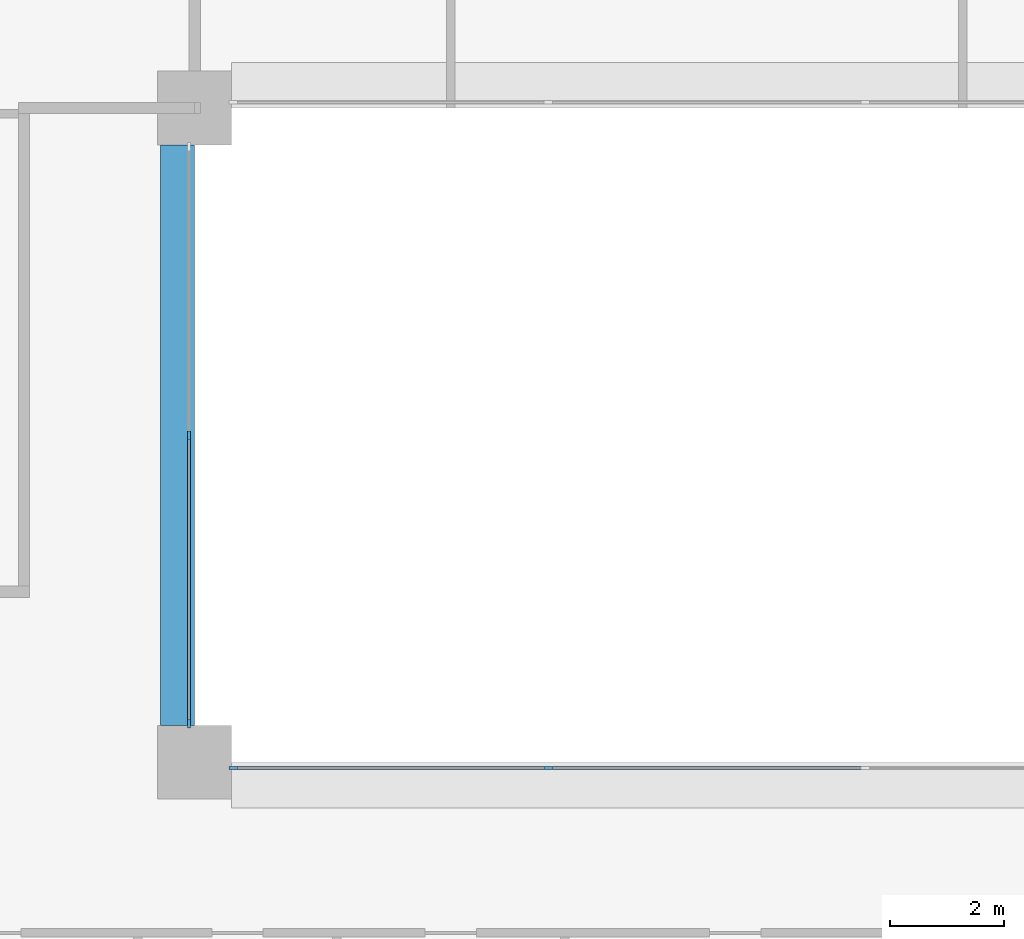
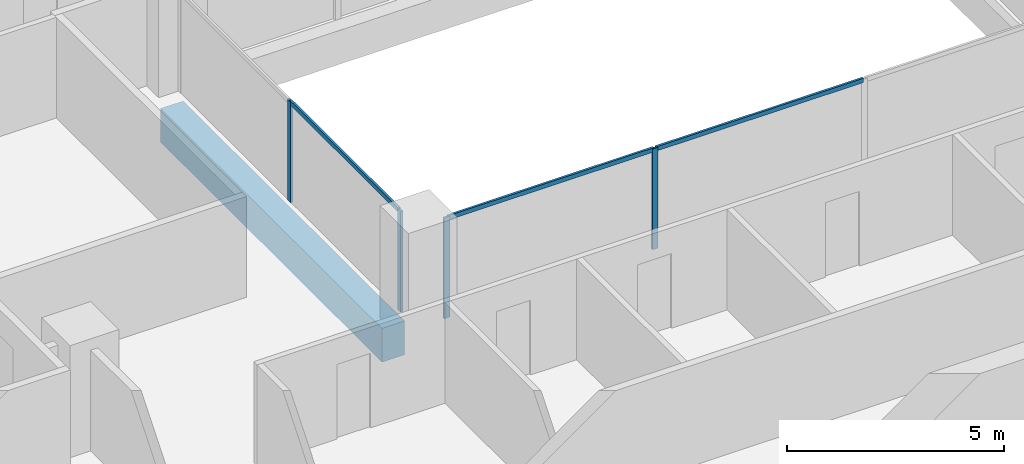
# One storey, part 2 of 16: 7 members, 1 beam, 2 elements without a shape of their own.
"""IFC4 building model written with IfcOpenShell, lengths in metres."""

import ifcopenshell
import ifcopenshell.guid

model = None  # the IFC model being written
_history = None  # IfcOwnerHistory: only IFC2X3 demands one
_inside = {}  # id of a spatial element -> (the spatial element, [elements in it])
_under = {}  # id of a project, library or spatial element -> (it, [spatial elements below it])
_declared = {}  # id of a project -> (the project, [libraries it declares])
_typed = {}  # id of a type object -> (the type object, [elements of that type])
_made_of = {}  # id of a material, layer set ... -> (it, [elements and type objects made of it])


def new_model(schema):
    """Start an empty IFC model of exactly this schema.

    Asked for "IFC4X3", IfcOpenShell would pick the latest addendum, in which some entities
    have other attributes; the version numbers below select the first issue.
    IFC2X3 requires an IfcOwnerHistory on every rooted entity: one is made here for all.
    """
    global model, _history
    if schema == "IFC4X3":
        model = ifcopenshell.file(schema_version=(4, 3, 0, 0))
    else:
        model = ifcopenshell.file(schema=schema)
    _inside.clear()
    _under.clear()
    _declared.clear()
    _typed.clear()
    _made_of.clear()
    _history = None
    if model.schema == "IFC2X3":
        org = make("IfcOrganization", Name="unknown")
        user = make(
            "IfcPersonAndOrganization",
            ThePerson=make("IfcPerson", FamilyName="unknown"),
            TheOrganization=org,
        )
        app = make(
            "IfcApplication",
            ApplicationDeveloper=org,
            Version="unknown",
            ApplicationFullName="unknown",
            ApplicationIdentifier="unknown",
        )
        _history = make(
            "IfcOwnerHistory",
            OwningUser=user,
            OwningApplication=app,
            ChangeAction="ADDED",
            CreationDate=0,
        )
    return model


def make(cls, **values):
    """One entity of the class cls with the attributes given. An attribute that is None is left unset."""
    return model.create_entity(
        cls, **{name: value for name, value in values.items() if value is not None}
    )


def rooted(cls, **values):
    """An entity with a GlobalId (a new one), such as an element, a storey or a relation."""
    return make(cls, GlobalId=ifcopenshell.guid.new(), OwnerHistory=_history, **values)


def si_unit(unit_type, name, prefix=None):
    """IfcSIUnit, for example si_unit("LENGTHUNIT", "METRE", prefix="MILLI")."""
    return make("IfcSIUnit", UnitType=unit_type, Prefix=prefix, Name=name)


def assignment(units):
    """IfcUnitAssignment: the units of a project."""
    return None if units is None else make("IfcUnitAssignment", Units=units)


def point(xyz):
    """IfcCartesianPoint."""
    return None if xyz is None else make("IfcCartesianPoint", Coordinates=xyz)


def direction(xyz):
    """IfcDirection."""
    return None if xyz is None else make("IfcDirection", DirectionRatios=xyz)


def frame(location, z_axis=None, x_axis=None):
    """IfcAxis2Placement3D, a coordinate frame: its origin and axes. An axis left out is left unset."""
    return make(
        "IfcAxis2Placement3D",
        Location=point(location),
        Axis=direction(z_axis),
        RefDirection=direction(x_axis),
    )


def frame_2d(location, x_axis=None):
    """IfcAxis2Placement2D, a coordinate frame in the plane: its origin and x axis."""
    return make(
        "IfcAxis2Placement2D", Location=point(location), RefDirection=direction(x_axis)
    )


def origin():
    """The frame at (0, 0, 0) with its axes left unset."""
    return frame((0.0, 0.0, 0.0))


def origin_2d():
    """The frame at (0, 0) in the plane with its x axis left unset."""
    return frame_2d((0.0, 0.0))


def place(relative_to, where):
    """IfcLocalPlacement: puts the frame where relative to a parent placement (None: the world)."""
    return make(
        "IfcLocalPlacement", PlacementRelTo=relative_to, RelativePlacement=where
    )


def context(
    kind, dimensions, precision=None, world=None, true_north=None, identifier=None
):
    """IfcGeometricRepresentationContext, for example the 3D "Model" context."""
    return make(
        "IfcGeometricRepresentationContext",
        ContextIdentifier=identifier,
        ContextType=kind,
        CoordinateSpaceDimension=dimensions,
        Precision=precision,
        WorldCoordinateSystem=world,
        TrueNorth=true_north,
    )


def subcontext(parent, identifier, kind, view, scale=None):
    """IfcGeometricRepresentationSubContext, for example "Body" below "Model"."""
    return make(
        "IfcGeometricRepresentationSubContext",
        ContextIdentifier=identifier,
        ContextType=kind,
        ParentContext=parent,
        TargetScale=scale,
        TargetView=view,
    )


def project(units=None, contexts=None):
    """IfcProject with its units and contexts."""
    return rooted(
        "IfcProject",
        Name="project",
        RepresentationContexts=contexts,
        UnitsInContext=assignment(units),
    )


def spatial(cls, under=None, at=None, **own):
    """A site, building, storey or space (cls), placed at a placement, below another one or the project."""
    s = rooted(cls, ObjectPlacement=at, **own)
    if under is not None:
        _under.setdefault(under.id(), (under, []))[1].append(s)
    return s


def profile(cls, at=None, kind="AREA", **sizes):
    """A parametric profile (cls). Its sizes go by their IFC names, for example OverallWidth=200.0."""
    return make(cls, ProfileType=kind, Position=at, **sizes)


def rectangle(**sizes):
    """IfcRectangleProfileDef."""
    return profile("IfcRectangleProfileDef", **sizes)


def extrude(swept, where, along, depth):
    """IfcExtrudedAreaSolid: the profile swept, set in the frame where, extruded along a direction by depth."""
    return make(
        "IfcExtrudedAreaSolid",
        SweptArea=swept,
        Position=where,
        ExtrudedDirection=direction(along),
        Depth=depth,
    )


def shape(context_of_items, identifier, shape_type, items):
    """IfcShapeRepresentation: the items that make up one representation, for example the "Body"."""
    return make(
        "IfcShapeRepresentation",
        ContextOfItems=context_of_items,
        RepresentationIdentifier=identifier,
        RepresentationType=shape_type,
        Items=items,
    )


def material(Name=None, Category=None):
    """IfcMaterial."""
    return make("IfcMaterial", Name=Name, Category=Category)


def layer(
    of_material, thickness, ventilated=None, Name=None, Category=None, Priority=None
):
    """IfcMaterialLayer: one layer of a wall or slab, of a material (None: an air gap)."""
    return make(
        "IfcMaterialLayer",
        Material=of_material,
        LayerThickness=thickness,
        IsVentilated=ventilated,
        Name=Name,
        Category=Category,
        Priority=Priority,
    )


def layer_set(layers, Name=None):
    """IfcMaterialLayerSet."""
    return make("IfcMaterialLayerSet", MaterialLayers=layers, LayerSetName=Name)


def material_profile(
    of_material, cross_section, Name=None, Category=None, Priority=None
):
    """IfcMaterialProfile: a cross section and its material."""
    return make(
        "IfcMaterialProfile",
        Name=Name,
        Material=of_material,
        Profile=cross_section,
        Priority=Priority,
        Category=Category,
    )


def profile_set(profiles, Name=None, composite=None):
    """IfcMaterialProfileSet."""
    return make(
        "IfcMaterialProfileSet",
        Name=Name,
        MaterialProfiles=profiles,
        CompositeProfile=composite,
    )


def made_of(thing, what):
    """Note that an element or type object is made of a material, layer set ...; save() writes the relation."""
    if what is not None:
        _made_of.setdefault(what.id(), (what, []))[1].append(thing)
    return thing


def type_object(cls, material=None, **own):
    """A type object (cls), such as IfcWallType, which elements share."""
    return made_of(rooted(cls, **own), material)


def element(
    cls,
    number,
    at=None,
    inside=None,
    cuts=None,
    type_object=None,
    material=None,
    context=None,
    identifier="Body",
    shape_type=None,
    held_by="IfcProductDefinitionShape",
    body=None,
    shapes=None,
    **own,
):
    """One element of the class cls, such as IfcWall. Its Tag is "e" and its number.

    at: its placement. inside: the storey or other place that contains it. cuts: it is an
    opening in that element (IfcRelVoidsElement). A single representation is given by context,
    identifier, shape_type and body (its items); several are given by shapes. held_by: the class
    of the entity that holds the representations. save() writes the other relations.
    """
    e = rooted(cls, Tag="e%d" % number, ObjectPlacement=at, **own)
    if body is not None:
        shapes = [shape(context, identifier, shape_type, body)]
    if shapes is not None:
        e.Representation = make(held_by, Representations=shapes)
    if inside is not None:
        _inside.setdefault(inside.id(), (inside, []))[1].append(e)
    if cuts is not None:
        rooted(
            "IfcRelVoidsElement", RelatingBuildingElement=cuts, RelatedOpeningElement=e
        )
    if type_object is not None:
        _typed.setdefault(type_object.id(), (type_object, []))[1].append(e)
    return made_of(e, material)


def aggregate(whole, parts):
    """IfcRelAggregates: a whole, such as a stair, and the parts it consists of."""
    return rooted("IfcRelAggregates", RelatingObject=whole, RelatedObjects=parts)


def save(model, path):
    """Write the relations noted so far, then the file.

    IfcRelAggregates (storeys below a building ...), IfcRelContainedInSpatialStructure (elements
    in a storey), IfcRelDefinesByType, IfcRelAssociatesMaterial and IfcRelDeclares: one each for
    every whole, place, type object, material and project.
    """
    for whole, parts in _under.values():
        aggregate(whole, parts)
    for where, things in _inside.values():
        rooted(
            "IfcRelContainedInSpatialStructure",
            RelatedElements=things,
            RelatingStructure=where,
        )
    for kind, things in _typed.values():
        rooted("IfcRelDefinesByType", RelatedObjects=things, RelatingType=kind)
    for what, things in _made_of.values():
        rooted("IfcRelAssociatesMaterial", RelatedObjects=things, RelatingMaterial=what)
    for by, libraries in _declared.values():
        rooted("IfcRelDeclares", RelatingContext=by, RelatedDefinitions=libraries)
    model.write(path)


model = new_model("IFC4")

# Units and contexts
model_context = context("Model", 3, precision=1e-05, world=origin(), true_north=direction((0.0, 1.0)))
body_context = subcontext(model_context, "Body", "Model", "MODEL_VIEW")
ifc_project = project(units=[si_unit("LENGTHUNIT", "METRE"), si_unit("AREAUNIT", "SQUARE_METRE"), si_unit("VOLUMEUNIT", "CUBIC_METRE"), si_unit("PLANEANGLEUNIT", "RADIAN"), si_unit("MASSUNIT", "GRAM", prefix="KILO")], contexts=[model_context])

# Site, building, storey
site_placement = place(None, origin())
site = spatial("IfcSite", under=ifc_project, at=site_placement, CompositionType="ELEMENT")
building_placement = place(site_placement, origin())
building = spatial("IfcBuilding", under=site, at=building_placement, Name="Brigalow Station Residences", CompositionType="ELEMENT")
storey_placement = place(building_placement, frame((0.0, 0.0, 93.0)))
storey = spatial("IfcBuildingStorey", under=building, at=storey_placement, Name="L26", CompositionType="ELEMENT", Elevation=93.0)

# Beam
ifc_material_1 = material(Name="Concrete C65", Category="concrete")
ifc_material_profile_1 = material_profile(ifc_material_1, rectangle(XDim=0.60009765625, YDim=0.949951171875, at=origin_2d()), Name="RC600x950")
ifc_profile_set_1 = profile_set([ifc_material_profile_1], Name="Concrete C65")
beam_type = type_object("IfcBeamType", Name="ATRIUM EDGE GIRDER 600x950 C65", PredefinedType="BEAM", material=ifc_profile_set_1)
beam_placement = place(storey_placement, frame((26.699951171875, 24.64990234375, -0.794921875), z_axis=(0.0, 1.0, 0.0), x_axis=(-1.0, 0.0, 0.0)))
element("IfcBeam", 1, at=beam_placement, inside=storey, type_object=beam_type, Name="ATRIUM EDGE GIRDER 3 L26", PredefinedType="BEAM", context=body_context, shape_type="SweptSolid", body=[
    extrude(rectangle(XDim=0.60009765625, YDim=0.949951171875, at=origin_2d()), origin(), (0.0, 0.0, 1.0), 10.2001953125),
])

# Curtain wall, members
ifc_material_2 = material(Name="Aluminium", Category="aluminium")
ifc_layer = layer(ifc_material_2, 0.14990234375)
ifc_layer_set = layer_set([ifc_layer], Name="ATRIUM FIRE-RATED GLAZING CURTAIN WALL")
curtain_wall_type = type_object("IfcCurtainWallType", Name="ATRIUM FIRE-RATED GLAZING CURTAIN WALL", PredefinedType="NOTDEFINED", material=ifc_layer_set)
curtain_wall_1_placement = place(storey_placement, origin())
curtain_wall_1 = element("IfcCurtainWall", 2, at=curtain_wall_1_placement, inside=storey, type_object=curtain_wall_type, Name="L26/cw/atrium-S", PredefinedType="NOTDEFINED")
ifc_material_3 = material(Name="Aluminium", Category="aluminium")
ifc_material_profile_2 = material_profile(ifc_material_3, rectangle(XDim=0.06005859375, YDim=0.14990234375, at=origin_2d()), Name="ATRIUM FIRE-RATED GLAZING MULLION 60x150")
ifc_profile_set_2 = profile_set([ifc_material_profile_2], Name="Aluminium")
member_type_1 = type_object("IfcMemberType", Name="ATRIUM FIRE-RATED GLAZING MULLION 60x150", PredefinedType="MULLION", material=ifc_profile_set_2)
member_1_placement = place(storey_placement, frame((27.679931640625, 23.89990234375, 0.0), z_axis=(0.0, 0.0, 1.0), x_axis=(0.0, 1.0, 0.0)))
member_1 = element("IfcMember", 3, at=member_1_placement, type_object=member_type_1, Name="L26/cw/atrium-S/M00", PredefinedType="MULLION", context=body_context, shape_type="SweptSolid", body=[
    extrude(rectangle(XDim=0.06005859375, YDim=0.14990234375, at=origin_2d()), origin(), (0.0, 0.0, 1.0), 2.830078125),
])
member_2_placement = place(storey_placement, frame((33.216796875, 23.89990234375, 0.0), z_axis=(0.0, 0.0, 1.0), x_axis=(0.0, 1.0, 0.0)))
member_2 = element("IfcMember", 4, at=member_2_placement, type_object=member_type_1, Name="L26/cw/atrium-S/M01", PredefinedType="MULLION", context=body_context, shape_type="SweptSolid", body=[
    extrude(rectangle(XDim=0.06005859375, YDim=0.14990234375, at=origin_2d()), origin(), (0.0, 0.0, 1.0), 2.830078125),
])

curtain_wall_2_placement = place(storey_placement, origin())
curtain_wall_2 = element("IfcCurtainWall", 5, at=curtain_wall_2_placement, inside=storey, type_object=curtain_wall_type, Name="L26/cw/atrium-W", PredefinedType="NOTDEFINED")
member_3_placement = place(storey_placement, frame((26.89990234375, 29.75, 0.0), z_axis=(0.0, 0.0, 1.0), x_axis=(1.0, 0.0, 0.0)))
member_3 = element("IfcMember", 6, at=member_3_placement, type_object=member_type_1, Name="L26/cw/atrium-W/M01", PredefinedType="MULLION", context=body_context, shape_type="SweptSolid", body=[
    extrude(rectangle(XDim=0.06005859375, YDim=0.14990234375, at=origin_2d()), origin(), (0.0, 0.0, 1.0), 2.830078125),
])
member_4_placement = place(storey_placement, frame((26.89990234375, 24.679931640625, 0.0), z_axis=(0.0, 0.0, 1.0), x_axis=(1.0, 0.0, 0.0)))
member_4 = element("IfcMember", 7, at=member_4_placement, type_object=member_type_1, Name="L26/cw/atrium-W/M02", PredefinedType="MULLION", context=body_context, shape_type="SweptSolid", body=[
    extrude(rectangle(XDim=0.06005859375, YDim=0.14990234375, at=origin_2d()), origin(), (0.0, 0.0, 1.0), 2.830078125),
])

# Member
ifc_material_4 = material(Name="Aluminium", Category="aluminium")
ifc_material_profile_3 = material_profile(ifc_material_4, rectangle(XDim=0.06005859375, YDim=0.1201171875, at=origin_2d()), Name="ATRIUM FIRE-RATED GLAZING TRANSOM 60x120")
ifc_profile_set_3 = profile_set([ifc_material_profile_3], Name="Aluminium")
member_type_2 = type_object("IfcMemberType", Name="ATRIUM FIRE-RATED GLAZING TRANSOM 60x120", PredefinedType="USERDEFINED", material=ifc_profile_set_3)
member_5_placement = place(storey_placement, frame((27.7099609375, 23.89990234375, 2.800048828125), z_axis=(1.0, 0.0, 0.0), x_axis=(0.0, 1.0, 0.0)))
member_5 = element("IfcMember", 8, at=member_5_placement, type_object=member_type_2, Name="L26/cw/atrium-S/T00-00", ObjectType="TRANSOM", PredefinedType="USERDEFINED", context=body_context, shape_type="SweptSolid", body=[
    extrude(rectangle(XDim=0.06005859375, YDim=0.1201171875, at=origin_2d()), origin(), (0.0, 0.0, 1.0), 5.476806640625),
])

member_6_placement = place(storey_placement, frame((33.24658203125, 23.89990234375, 2.800048828125), z_axis=(1.0, 0.0, 0.0), x_axis=(0.0, 1.0, 0.0)))
member_6 = element("IfcMember", 9, at=member_6_placement, type_object=member_type_2, Name="L26/cw/atrium-S/T01-00", ObjectType="TRANSOM", PredefinedType="USERDEFINED", context=body_context, shape_type="SweptSolid", body=[
    extrude(rectangle(XDim=0.06005859375, YDim=0.1201171875, at=origin_2d()), origin(), (0.0, 0.0, 1.0), 5.5068359375),
])

aggregate(curtain_wall_1, [member_1, member_2, member_5, member_6])

member_7_placement = place(storey_placement, frame((26.89990234375, 29.719970703125, 2.800048828125), z_axis=(0.0, -1.0, 0.0), x_axis=(1.0, 0.0, 0.0)))
member_7 = element("IfcMember", 10, at=member_7_placement, type_object=member_type_2, Name="L26/cw/atrium-W/T01-00", ObjectType="TRANSOM", PredefinedType="USERDEFINED", context=body_context, shape_type="SweptSolid", body=[
    extrude(rectangle(XDim=0.06005859375, YDim=0.1201171875, at=origin_2d()), origin(), (0.0, 0.0, 1.0), 5.010009765625),
])

aggregate(curtain_wall_2, [member_3, member_4, member_7])

save(model, "model.ifc")
